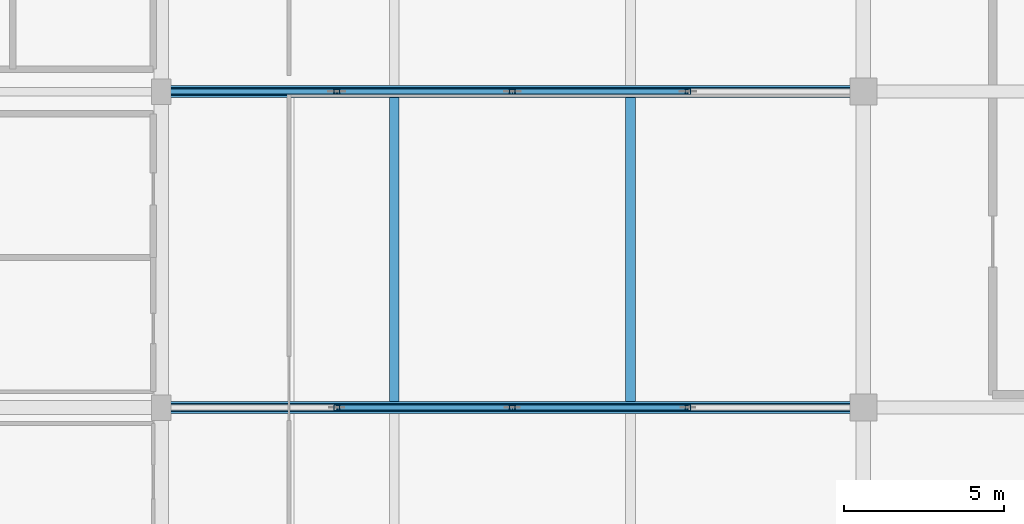
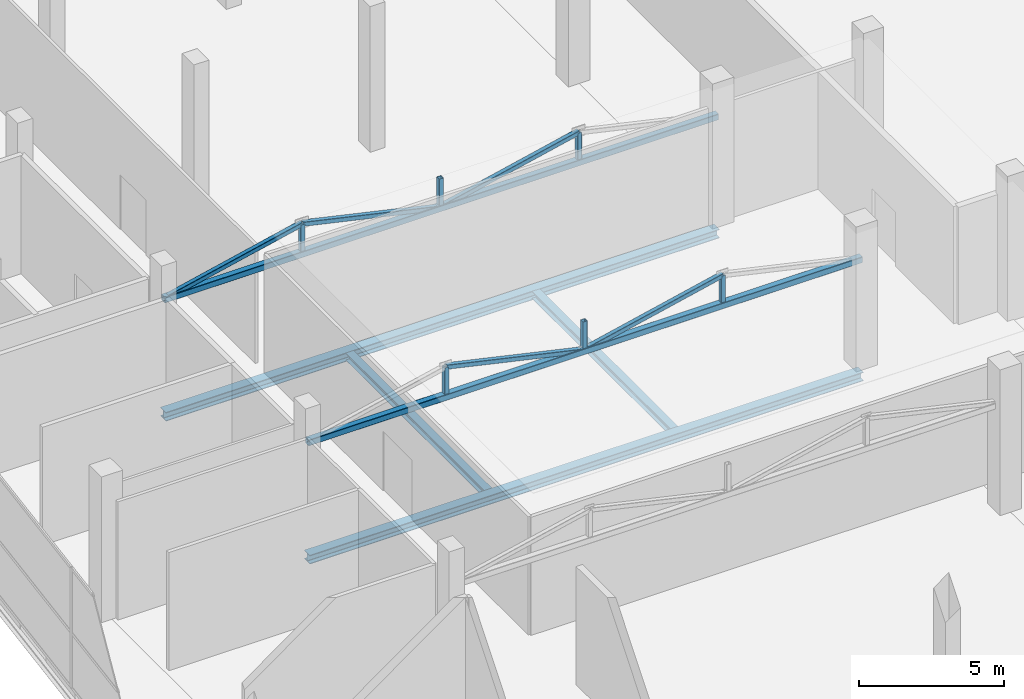
# One storey, part 15 of 58: 13 members, 4 beams.
"""IFC4 building model written with IfcOpenShell, lengths in metres."""

from ifc_helpers import new_model, si_unit, direction, frame, origin, origin_2d, place, context, subcontext, project, spatial, hollow_rectangle, i_section, extrude, material, material_profile, profile_set, type_object, element, save


model = new_model("IFC4")

# Units and contexts
model_context = context("Model", 3, precision=1e-05, world=origin(), true_north=direction((0.0, 1.0)))
body_context = subcontext(model_context, "Body", "Model", "MODEL_VIEW")
ifc_project = project(units=[si_unit("LENGTHUNIT", "METRE"), si_unit("AREAUNIT", "SQUARE_METRE"), si_unit("VOLUMEUNIT", "CUBIC_METRE"), si_unit("PLANEANGLEUNIT", "RADIAN"), si_unit("MASSUNIT", "GRAM", prefix="KILO")], contexts=[model_context])

# Site, building, storey
site_placement = place(None, origin())
site = spatial("IfcSite", under=ifc_project, at=site_placement, CompositionType="ELEMENT")
building_placement = place(site_placement, origin())
building = spatial("IfcBuilding", under=site, at=building_placement, Name="Sillaruma Civic Art Gallery", CompositionType="ELEMENT")
storey_placement = place(building_placement, frame((0.0, 0.0, 22.43994140625)))
storey = spatial("IfcBuildingStorey", under=building, at=storey_placement, Name="L04", CompositionType="ELEMENT", Elevation=22.43994140625)

# Beams
ifc_material_1 = material(Name="Structural Steel ASTM A992 Gr.50", Category="steel")
ifc_material_profile_1 = material_profile(ifc_material_1, i_section(OverallWidth=0.305908203125, OverallDepth=0.31103515625, WebThickness=0.010986328125, FlangeThickness=0.01708984375, FilletRadius=0.014892578125, at=origin_2d()), Name="W310x107")
ifc_profile_set_1 = profile_set([ifc_material_profile_1], Name="Structural Steel ASTM A992 Gr.50")
beam_type_1 = type_object("IfcBeamType", Name="BM-JOIST-W310x107", PredefinedType="JOIST", material=ifc_profile_set_1)
for number, where, z_axis, x_axis, name in (
    (1, (77.300048828125, 59.5869140625, -0.41552734375), (0.0, 1.0, 0.0), (-1.0, 0.0, 0.0), "Long-Span Gallery Joist JS-03 (L03:7-8)"),
    (2, (84.699951171875, 59.5869140625, -0.41552734375), (0.0, 1.0, 0.0), (-1.0, 0.0, 0.0), "Long-Span Gallery Joist JS-03 (L03:7-8)"),
):
    element("IfcBeam", number, at=place(storey_placement, frame(where, z_axis=z_axis, x_axis=x_axis)), inside=storey, type_object=beam_type_1, Name=name, PredefinedType="JOIST", context=body_context, shape_type="SweptSolid", body=[
        extrude(i_section(OverallWidth=0.305908203125, OverallDepth=0.31103515625, WebThickness=0.010986328125, FlangeThickness=0.01708984375, FilletRadius=0.014892578125, at=origin_2d()), origin(), (0.0, 0.0, 1.0), 9.526123046875),
    ])
ifc_material_profile_2 = material_profile(ifc_material_1, i_section(OverallWidth=0.3740234375, OverallDepth=0.3720703125, WebThickness=0.016357421875, FlangeThickness=0.026123046875, FilletRadius=0.014892578125, at=origin_2d()), Name="W360x196")
ifc_profile_set_2 = profile_set([ifc_material_profile_2], Name="Structural Steel ASTM A992 Gr.50")
beam_type_2 = type_object("IfcBeamType", Name="BM-TRTOP-W360x196", PredefinedType="BEAM", material=ifc_profile_set_2)
for number, where, z_axis, x_axis, name in (
    (3, (70.0, 59.39990234375, -0.446044921875), (1.0, 0.0, 0.0), (0.0, 1.0, 0.0), "Warren Truss Top Chord TR-L03-2"),
    (4, (70.0, 69.300048828125, -0.446044921875), (1.0, 0.0, 0.0), (0.0, 1.0, 0.0), "Warren Truss Top Chord TR-L03-3"),
):
    element("IfcBeam", number, at=place(storey_placement, frame(where, z_axis=z_axis, x_axis=x_axis)), inside=storey, type_object=beam_type_2, Name=name, PredefinedType="BEAM", context=body_context, shape_type="SweptSolid", body=[
        extrude(i_section(OverallWidth=0.3740234375, OverallDepth=0.3720703125, WebThickness=0.016357421875, FlangeThickness=0.026123046875, FilletRadius=0.014892578125, at=origin_2d()), origin(), (0.0, 0.0, 1.0), 22.0),
    ])

# Members
ifc_material_2 = material(Name="Structural Steel ASTM A500 Gr.C", Category="steel")
ifc_material_profile_3 = material_profile(ifc_material_2, hollow_rectangle(XDim=0.179931640625, YDim=0.179931640625, WallThickness=0.010009765625, InnerFilletRadius=0.010009765625, OuterFilletRadius=0.02001953125, at=origin_2d()), Name="HSS180x180x10")
ifc_profile_set_3 = profile_set([ifc_material_profile_3], Name="Structural Steel ASTM A500 Gr.C")
member_type_1 = type_object("IfcMemberType", Name="MEM-BRACE-HSS180x180x10", PredefinedType="BRACE", material=ifc_profile_set_3)
for number, where, z_axis, x_axis, name in (
    (5, (75.5, 59.39990234375, 5.654052734375), (0.975552224414, 0.0, -0.219767735214), (0.0, 1.0, 0.0), "Warren Truss Diagonal TR-L04-2-D2"),
    (6, (81.0, 59.39990234375, 4.4150390625), (0.975552224414, 0.0, 0.219767735214), (0.0, 1.0, 0.0), "Warren Truss Diagonal TR-L04-2-D3"),
    (7, (70.0, 69.300048828125, 4.4150390625), (0.975552224414, 0.0, 0.219767735214), (0.0, 1.0, 0.0), "Warren Truss Diagonal TR-L04-3-D1"),
    (8, (75.5, 69.300048828125, 5.654052734375), (0.975552224414, 0.0, -0.219767735214), (0.0, 1.0, 0.0), "Warren Truss Diagonal TR-L04-3-D2"),
    (9, (81.0, 69.300048828125, 4.4150390625), (0.975552224414, 0.0, 0.219767735214), (0.0, 1.0, 0.0), "Warren Truss Diagonal TR-L04-3-D3"),
):
    element("IfcMember", number, at=place(storey_placement, frame(where, z_axis=z_axis, x_axis=x_axis)), inside=storey, type_object=member_type_1, Name=name, PredefinedType="BRACE", context=body_context, shape_type="SweptSolid", body=[
        extrude(hollow_rectangle(XDim=0.179931640625, YDim=0.179931640625, WallThickness=0.010009765625, InnerFilletRadius=0.010009765625, OuterFilletRadius=0.02001953125, at=origin_2d()), origin(), (0.0, 0.0, 1.0), 5.637939453125),
    ])
ifc_material_profile_4 = material_profile(ifc_material_2, hollow_rectangle(XDim=0.25, YDim=0.25, WallThickness=0.012451171875, InnerFilletRadius=0.012451171875, OuterFilletRadius=0.02490234375, at=origin_2d()), Name="HSS250x250x12.5")
ifc_profile_set_4 = profile_set([ifc_material_profile_4], Name="Structural Steel ASTM A500 Gr.C")
member_type_2 = type_object("IfcMemberType", Name="MEM-CHORD-HSS250x250x12.5", PredefinedType="CHORD", material=ifc_profile_set_4)
for number, where, z_axis, x_axis, name in (
    (10, (70.0, 59.39990234375, 4.4150390625), (1.0, 0.0, 0.0), (0.0, 1.0, 0.0), "Warren Truss Bottom Chord TR-L04-2"),
    (11, (70.0, 69.300048828125, 4.4150390625), (1.0, 0.0, 0.0), (0.0, 1.0, 0.0), "Warren Truss Bottom Chord TR-L04-3"),
):
    element("IfcMember", number, at=place(storey_placement, frame(where, z_axis=z_axis, x_axis=x_axis)), inside=storey, type_object=member_type_2, Name=name, PredefinedType="CHORD", context=body_context, shape_type="SweptSolid", body=[
        extrude(hollow_rectangle(XDim=0.25, YDim=0.25, WallThickness=0.012451171875, InnerFilletRadius=0.012451171875, OuterFilletRadius=0.02490234375, at=origin_2d()), origin(), (0.0, 0.0, 1.0), 22.0),
    ])
ifc_material_profile_5 = material_profile(ifc_material_2, hollow_rectangle(XDim=0.179931640625, YDim=0.179931640625, WallThickness=0.010009765625, InnerFilletRadius=0.010009765625, OuterFilletRadius=0.02001953125, at=origin_2d()), Name="HSS180x180x10")
ifc_profile_set_5 = profile_set([ifc_material_profile_5], Name="Structural Steel ASTM A500 Gr.C")
member_type_3 = type_object("IfcMemberType", Name="MEM-POST-HSS180x180x10", PredefinedType="POST", material=ifc_profile_set_5)
for number, where, z_axis, x_axis, name in (
    (12, (75.5, 59.39990234375, 4.4150390625), (0.0, 0.0, 1.0), (1.0, 0.0, 0.0), "Warren Truss Vertical Post TR-L04-2-V1"),
    (13, (81.0, 59.39990234375, 4.4150390625), (0.0, 0.0, 1.0), (1.0, 0.0, 0.0), "Warren Truss Vertical Post TR-L04-2-V2"),
    (14, (86.5, 59.39990234375, 4.4150390625), (0.0, 0.0, 1.0), (1.0, 0.0, 0.0), "Warren Truss Vertical Post TR-L04-2-V3"),
    (15, (75.5, 69.300048828125, 4.4150390625), (0.0, 0.0, 1.0), (1.0, 0.0, 0.0), "Warren Truss Vertical Post TR-L04-3-V1"),
    (16, (81.0, 69.300048828125, 4.4150390625), (0.0, 0.0, 1.0), (1.0, 0.0, 0.0), "Warren Truss Vertical Post TR-L04-3-V2"),
    (17, (86.5, 69.300048828125, 4.4150390625), (0.0, 0.0, 1.0), (1.0, 0.0, 0.0), "Warren Truss Vertical Post TR-L04-3-V3"),
):
    element("IfcMember", number, at=place(storey_placement, frame(where, z_axis=z_axis, x_axis=x_axis)), inside=storey, type_object=member_type_3, Name=name, PredefinedType="POST", context=body_context, shape_type="SweptSolid", body=[
        extrude(hollow_rectangle(XDim=0.179931640625, YDim=0.179931640625, WallThickness=0.010009765625, InnerFilletRadius=0.010009765625, OuterFilletRadius=0.02001953125, at=origin_2d()), origin(), (0.0, 0.0, 1.0), 1.239013671875),
    ])

save(model, "model.ifc")
